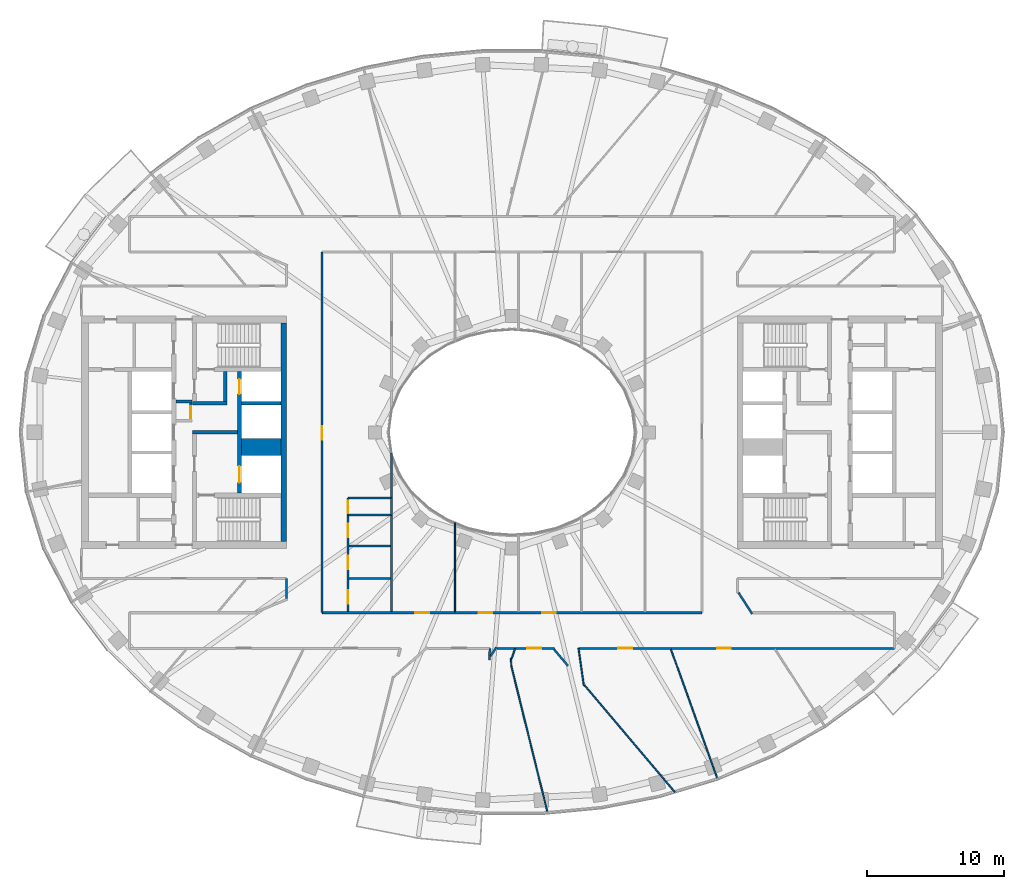
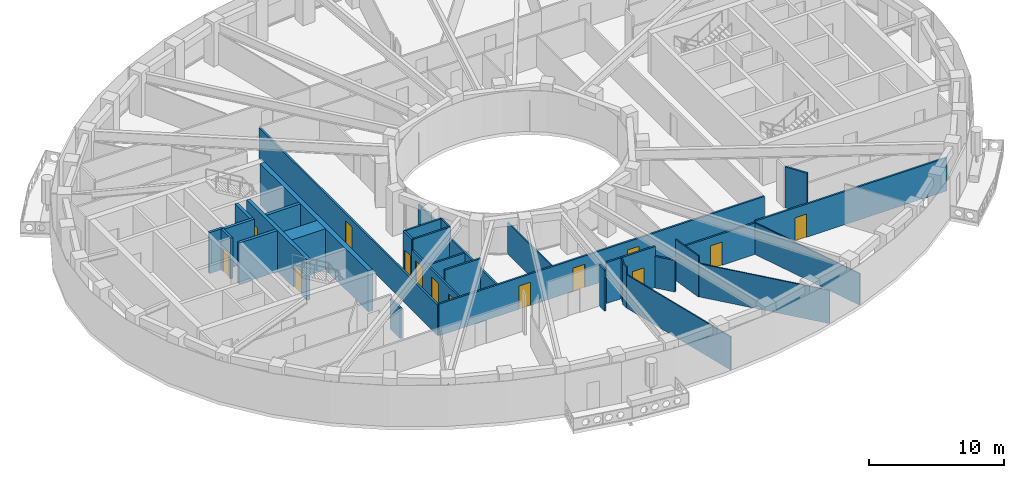
# One storey, part 4 of 16: 35 walls, 14 doors, 14 openings.
"""IFC4 building model written with IfcOpenShell, lengths in metres."""

from ifc_helpers import new_model, si_unit, direction, frame, frame_2d, origin, place, context, subcontext, project, spatial, rectangle, extrude, material, layer, layer_set, type_object, element, fill, save


model = new_model("IFC4")

# Units and contexts
model_context = context("Model", 3, precision=1e-05, world=origin(), true_north=direction((0.0, 1.0)))
body_context = subcontext(model_context, "Body", "Model", "MODEL_VIEW")
ifc_project = project(units=[si_unit("LENGTHUNIT", "METRE"), si_unit("AREAUNIT", "SQUARE_METRE"), si_unit("VOLUMEUNIT", "CUBIC_METRE"), si_unit("PLANEANGLEUNIT", "RADIAN"), si_unit("MASSUNIT", "GRAM", prefix="KILO")], contexts=[model_context])

# Site, building, storey
site_placement = place(None, origin())
site = spatial("IfcSite", under=ifc_project, at=site_placement, CompositionType="ELEMENT")
building_placement = place(site_placement, origin())
building = spatial("IfcBuilding", under=site, at=building_placement, Name="Noorbagh Ring Tower", CompositionType="ELEMENT")
storey_placement = place(building_placement, frame((0.0, 0.0, 273.5)))
storey = spatial("IfcBuildingStorey", under=building, at=storey_placement, Name="L58", CompositionType="ELEMENT", Elevation=273.5)

# Wall, opening, door
ifc_material_1 = material(Name="Gypsum board on steel studs", Category="steel")
ifc_layer_1 = layer(ifc_material_1, 0.14990234375)
ifc_layer_set_1 = layer_set([ifc_layer_1], Name="Gypsum board on steel studs")
wall_type_1 = type_object("IfcWallType", Name="COMPARTMENT PARTITION 150 EI 60", PredefinedType="PARTITIONING", material=ifc_layer_set_1)
wall_1_placement = place(storey_placement, frame((-12.0, -6.06005859375, 0.0), z_axis=(0.0, 0.0, 1.0), x_axis=(0.0, 1.0, 0.0)))
wall_1 = element("IfcWall", 1, at=wall_1_placement, inside=storey, type_object=wall_type_1, Name="L58/wall/P30", PredefinedType="PARTITIONING", context=body_context, shape_type="SweptSolid", body=[
    extrude(rectangle(XDim=1.260009765625, YDim=0.14990234375, at=frame_2d((0.6298828125, 0.0))), origin(), (0.0, 0.0, 1.0), 3.699951171875),
])
opening_1_placement = place(wall_1_placement, frame((0.14990234375, 0.0, 0.0)))
opening_1 = element("IfcOpeningElement", 2, at=opening_1_placement, cuts=wall_1, Name="Opening D4", PredefinedType="OPENING", context=body_context, shape_type="SweptSolid", body=[
    extrude(rectangle(XDim=0.89990234375, YDim=2.10009765625, at=frame_2d((0.449951171875, 1.050048828125))), frame((0.0, 0.0849609375, 0.0), z_axis=(0.0, -1.0, 0.0), x_axis=(1.0, 0.0, 0.0)), (0.0, 0.0, 1.0), 0.169921875),
])
ifc_material_2 = material(Name="Timber, painted", Category="wood")
door_type_1 = type_object("IfcDoorType", Name="DOOR 900 X 2100 FD60", OperationType="SINGLE_SWING_LEFT", PredefinedType="DOOR", material=ifc_material_2)
door_1_placement = place(opening_1_placement, origin())
door_1 = element("IfcDoor", 3, at=door_1_placement, inside=storey, type_object=door_type_1, Name="L58-D05", OperationType="SINGLE_SWING_LEFT", OverallHeight=2.10009765625, OverallWidth=0.89990234375, PredefinedType="DOOR", context=body_context, shape_type="SweptSolid", body=[
    extrude(rectangle(XDim=0.89990234375, YDim=2.10009765625, at=frame_2d((0.449951171875, 1.050048828125))), frame((0.0, 0.02490234375, 0.0), z_axis=(0.0, -1.0, 0.0), x_axis=(1.0, 0.0, 0.0)), (0.0, 0.0, 1.0), 0.050048828125),
])
fill(opening_1, door_1)

# Walls
for number, where, z_axis, x_axis, name in (
    (4, (-12.0, -6.06005859375, 0.0), (0.0, 0.0, 1.0), (1.0, 0.0, 0.0), "L58/wall/P31"),
    (5, (-12.0, -4.800048828125, 0.0), (0.0, 0.0, 1.0), (1.0, 0.0, 0.0), "L58/wall/P32"),
):
    element("IfcWall", number, at=place(storey_placement, frame(where, z_axis=z_axis, x_axis=x_axis)), inside=storey, type_object=wall_type_1, Name=name, PredefinedType="PARTITIONING", context=body_context, shape_type="SweptSolid", body=[
        extrude(rectangle(XDim=3.197021484375, YDim=0.14990234375, at=frame_2d((1.5986328125, 0.0))), origin(), (0.0, 0.0, 1.0), 3.699951171875),
    ])
wall_2_placement = place(storey_placement, frame((-8.802978515625, -6.06005859375, 0.0), z_axis=(0.0, 0.0, 1.0), x_axis=(0.0, 1.0, 0.0)))
element("IfcWall", 6, at=wall_2_placement, inside=storey, type_object=wall_type_1, Name="L58/wall/P36", PredefinedType="PARTITIONING", context=body_context, shape_type="SweptSolid", body=[
    extrude(rectangle(XDim=1.260009765625, YDim=0.14990234375, at=frame_2d((0.6298828125, 0.0))), origin(), (0.0, 0.0, 1.0), 3.699951171875),
])
ifc_material_3 = material(Name="Gypsum board on steel studs", Category="steel")
ifc_layer_2 = layer(ifc_material_3, 0.199951171875)
ifc_layer_set_2 = layer_set([ifc_layer_2], Name="Gypsum board on steel studs")
wall_type_2 = type_object("IfcWallType", Name="CORE-PARTITION-200", PredefinedType="PARTITIONING", material=ifc_layer_set_2)
wall_3_placement = place(storey_placement, frame((-23.39990234375, 2.25, 0.0), z_axis=(0.0, 0.0, 1.0), x_axis=(-1.0, 0.0, 0.0)))
element("IfcWall", 7, at=wall_3_placement, inside=storey, type_object=wall_type_2, Name="Core partition W", PredefinedType="PARTITIONING", context=body_context, shape_type="SweptSolid", body=[
    extrude(rectangle(XDim=1.2001953125, YDim=0.199951171875, at=frame_2d((0.60009765625, 0.0))), origin(), (0.0, 0.0, 1.0), 3.699951171875),
])

# Wall, opening, door
wall_4_placement = place(storey_placement, frame((-23.5, 0.75, 0.0), z_axis=(0.0, 0.0, 1.0), x_axis=(0.0, 1.0, 0.0)))
wall_4 = element("IfcWall", 8, at=wall_4_placement, inside=storey, type_object=wall_type_2, Name="Core partition W", PredefinedType="PARTITIONING", context=body_context, shape_type="SweptSolid", body=[
    extrude(rectangle(XDim=1.60009765625, YDim=0.199951171875, at=frame_2d((0.800048828125, 0.0))), origin(), (0.0, 0.0, 1.0), 3.699951171875),
])
opening_2_placement = place(wall_4_placement, frame((0.25, 0.0, 0.0)))
opening_2 = element("IfcOpeningElement", 9, at=opening_2_placement, cuts=wall_4, Name="Opening L58-CW17", PredefinedType="OPENING", context=body_context, shape_type="SweptSolid", body=[
    extrude(rectangle(XDim=0.89990234375, YDim=2.10009765625, at=frame_2d((0.449951171875, 1.050048828125))), frame((0.0, 0.10986328125, 0.0), z_axis=(0.0, -1.0, 0.0), x_axis=(1.0, 0.0, 0.0)), (0.0, 0.0, 1.0), 0.219970703125),
])
ifc_material_4 = material(Name="Steel door leaf", Category="steel")
door_type_2 = type_object("IfcDoorType", Name="CORE-DOOR-DROOM", OperationType="SINGLE_SWING_LEFT", PredefinedType="DOOR", material=ifc_material_4)
door_2_placement = place(opening_2_placement, origin())
door_2 = element("IfcDoor", 10, at=door_2_placement, inside=storey, type_object=door_type_2, Name="Core room door L58-CW17", OperationType="SINGLE_SWING_RIGHT", OverallHeight=2.10009765625, OverallWidth=0.89990234375, PredefinedType="DOOR", context=body_context, shape_type="SweptSolid", body=[
    extrude(rectangle(XDim=0.89990234375, YDim=2.10009765625, at=frame_2d((0.449951171875, 1.050048828125))), frame((0.0, 0.02490234375, 0.0), z_axis=(0.0, -1.0, 0.0), x_axis=(1.0, 0.0, 0.0)), (0.0, 0.0, 1.0), 0.050048828125),
])
fill(opening_2, door_2)

# Walls
ifc_material_5 = material(Name="Concrete C60/75", Category="concrete")
ifc_layer_3 = layer(ifc_material_5, 1.25)
ifc_layer_set_3 = layer_set([ifc_layer_3], Name="Concrete C60/75")
wall_type_3 = type_object("IfcWallType", Name="CORE-WALL-1250-C60-75-EI120", PredefinedType="SHEAR", material=ifc_layer_set_3)
wall_5_placement = place(storey_placement, frame((-16.89990234375, -1.074951171875, 0.0), z_axis=(0.0, 0.0, 1.0), x_axis=(-1.0, 0.0, 0.0)))
element("IfcWall", 11, at=wall_5_placement, inside=storey, type_object=wall_type_3, Name="Core wall W", PredefinedType="SHEAR", context=body_context, shape_type="SweptSolid", body=[
    extrude(rectangle(XDim=2.900146484375, YDim=1.25, at=frame_2d((1.4501953125, 0.0))), origin(), (0.0, 0.0, 1.0), 3.699951171875),
])
ifc_material_6 = material(Name="Concrete C60/75", Category="concrete")
ifc_layer_4 = layer(ifc_material_6, 0.25)
ifc_layer_set_4 = layer_set([ifc_layer_4], Name="Concrete C60/75")
wall_type_4 = type_object("IfcWallType", Name="CORE-WALL-250-C60-75-EI120", PredefinedType="SHEAR", material=ifc_layer_set_4)
wall_6_placement = place(storey_placement, frame((-16.89990234375, 2.125, 0.0), z_axis=(0.0, 0.0, 1.0), x_axis=(-1.0, 0.0, 0.0)))
element("IfcWall", 12, at=wall_6_placement, inside=storey, type_object=wall_type_4, Name="Core wall W", PredefinedType="SHEAR", context=body_context, shape_type="SweptSolid", body=[
    extrude(rectangle(XDim=2.900146484375, YDim=0.25, at=frame_2d((1.4501953125, 0.0))), origin(), (0.0, 0.0, 1.0), 3.699951171875),
])
ifc_material_7 = material(Name="Concrete C60/75", Category="concrete")
ifc_layer_5 = layer(ifc_material_7, 0.25)
ifc_layer_set_5 = layer_set([ifc_layer_5], Name="Concrete C60/75")
wall_type_5 = type_object("IfcWallType", Name="CORE-WALL-250-C60-75-EI240", PredefinedType="SHEAR", material=ifc_layer_set_5)
wall_7_placement = place(storey_placement, frame((-20.10009765625, 0.0, 0.0), z_axis=(0.0, 0.0, 1.0), x_axis=(-1.0, 0.0, 0.0)))
element("IfcWall", 13, at=wall_7_placement, inside=storey, type_object=wall_type_5, Name="Core wall W", PredefinedType="SHEAR", context=body_context, shape_type="SweptSolid", body=[
    extrude(rectangle(XDim=3.27978515625, YDim=0.25, at=frame_2d((1.639892578125, 0.0))), origin(), (0.0, 0.0, 1.0), 3.699951171875),
])
wall_8_placement = place(storey_placement, frame((-20.85009765625, 2.125, 0.0), z_axis=(0.0, 0.0, 1.0), x_axis=(-1.0, 0.0, 0.0)))
element("IfcWall", 14, at=wall_8_placement, inside=storey, type_object=wall_type_5, Name="Core wall W", PredefinedType="SHEAR", context=body_context, shape_type="SweptSolid", body=[
    extrude(rectangle(XDim=2.52978515625, YDim=0.25, at=frame_2d((1.264892578125, 0.0))), origin(), (0.0, 0.0, 1.0), 3.699951171875),
])
wall_9_placement = place(storey_placement, frame((-20.97509765625, 2.25, 0.0), z_axis=(0.0, 0.0, 1.0), x_axis=(0.0, 1.0, 0.0)))
element("IfcWall", 15, at=wall_9_placement, inside=storey, type_object=wall_type_5, Name="Core wall W", PredefinedType="SHEAR", context=body_context, shape_type="SweptSolid", body=[
    extrude(rectangle(XDim=2.199951171875, YDim=0.25, at=frame_2d((1.10009765625, 0.0))), origin(), (0.0, 0.0, 1.0), 3.699951171875),
])

# Wall, openings, doors
ifc_material_8 = material(Name="Concrete C60/75", Category="concrete")
ifc_layer_6 = layer(ifc_material_8, 0.300048828125)
ifc_layer_set_6 = layer_set([ifc_layer_6], Name="Concrete C60/75")
wall_type_6 = type_object("IfcWallType", Name="CORE-WALL-300-C60-75-EI120", PredefinedType="SHEAR", material=ifc_layer_set_6)
wall_10_placement = place(storey_placement, frame((-19.949951171875, -4.449951171875, 0.0), z_axis=(0.0, 0.0, 1.0), x_axis=(0.0, 1.0, 0.0)))
wall_10 = element("IfcWall", 16, at=wall_10_placement, inside=storey, type_object=wall_type_6, Name="Core wall W", PredefinedType="SHEAR", context=body_context, shape_type="SweptSolid", body=[
    extrude(rectangle(XDim=8.89990234375, YDim=0.300048828125, at=frame_2d((4.449951171875, 0.0))), origin(), (0.0, 0.0, 1.0), 3.699951171875),
])
opening_3_placement = place(wall_10_placement, frame((0.77490234375, 0.0, 0.0)))
opening_3 = element("IfcOpeningElement", 17, at=opening_3_placement, cuts=wall_10, Name="Opening L58-CW01", PredefinedType="OPENING", context=body_context, shape_type="SweptSolid", body=[
    extrude(rectangle(XDim=1.199951171875, YDim=2.10009765625, at=frame_2d((0.60009765625, 1.050048828125))), frame((0.0, 0.16015625, 0.0), z_axis=(0.0, -1.0, 0.0), x_axis=(1.0, 0.0, 0.0)), (0.0, 0.0, 1.0), 0.320068359375),
])
opening_4_placement = place(wall_10_placement, frame((7.25, 0.0, 0.0)))
opening_4 = element("IfcOpeningElement", 18, at=opening_4_placement, cuts=wall_10, Name="Opening L58-CW02", PredefinedType="OPENING", context=body_context, shape_type="SweptSolid", body=[
    extrude(rectangle(XDim=1.10009765625, YDim=2.10009765625, at=frame_2d((0.550048828125, 1.050048828125))), frame((0.0, 0.16015625, 0.0), z_axis=(0.0, -1.0, 0.0), x_axis=(1.0, 0.0, 0.0)), (0.0, 0.0, 1.0), 0.320068359375),
])
ifc_material_9 = material(Name="Steel door leaf", Category="steel")
door_type_3 = type_object("IfcDoorType", Name="CORE-DOOR-LD", OperationType="DOUBLE_DOOR_SLIDING", PredefinedType="DOOR", material=ifc_material_9)
door_3_placement = place(opening_4_placement, origin())
door_3 = element("IfcDoor", 19, at=door_3_placement, inside=storey, type_object=door_type_3, Name="Landing door HR1 L58-CW02", OperationType="DOUBLE_DOOR_SLIDING", OverallHeight=2.10009765625, OverallWidth=1.10009765625, PredefinedType="DOOR", context=body_context, shape_type="SweptSolid", body=[
    extrude(rectangle(XDim=1.10009765625, YDim=2.10009765625, at=frame_2d((0.550048828125, 1.050048828125))), frame((0.0, 0.02490234375, 0.0), z_axis=(0.0, -1.0, 0.0), x_axis=(1.0, 0.0, 0.0)), (0.0, 0.0, 1.0), 0.050048828125),
])
fill(opening_4, door_3)
ifc_material_10 = material(Name="Steel door leaf", Category="steel")
door_type_4 = type_object("IfcDoorType", Name="CORE-DOOR-LDW", OperationType="DOUBLE_DOOR_SLIDING", PredefinedType="DOOR", material=ifc_material_10)
door_4_placement = place(opening_3_placement, origin())
door_4 = element("IfcDoor", 20, at=door_4_placement, inside=storey, type_object=door_type_4, Name="Landing door FF1 L58-CW01", OperationType="DOUBLE_DOOR_SLIDING", OverallHeight=2.10009765625, OverallWidth=1.199951171875, PredefinedType="DOOR", context=body_context, shape_type="SweptSolid", body=[
    extrude(rectangle(XDim=1.199951171875, YDim=2.10009765625, at=frame_2d((0.60009765625, 1.050048828125))), frame((0.0, 0.02490234375, 0.0), z_axis=(0.0, -1.0, 0.0), x_axis=(1.0, 0.0, 0.0)), (0.0, 0.0, 1.0), 0.050048828125),
])
fill(opening_3, door_4)

# Walls
ifc_material_11 = material(Name="Concrete C60/75", Category="concrete")
ifc_layer_7 = layer(ifc_material_11, 0.39990234375)
ifc_layer_set_7 = layer_set([ifc_layer_7], Name="Concrete C60/75")
wall_type_7 = type_object("IfcWallType", Name="CORE-WALL-400-C60-75-EI240", PredefinedType="SHEAR", material=ifc_layer_set_7)
wall_11_placement = place(storey_placement, frame((-16.699951171875, -8.0, 0.0), z_axis=(0.0, 0.0, 1.0), x_axis=(0.0, 1.0, 0.0)))
element("IfcWall", 21, at=wall_11_placement, inside=storey, type_object=wall_type_7, Name="Core wall W", PredefinedType="SHEAR", context=body_context, shape_type="SweptSolid", body=[
    extrude(rectangle(XDim=16.0, YDim=0.39990234375, at=frame_2d((8.0, 0.0))), origin(), (0.0, 0.0, 1.0), 3.699951171875),
])
ifc_material_12 = material(Name="Gypsum board on steel studs", Category="steel")
ifc_layer_8 = layer(ifc_material_12, 0.14990234375)
ifc_layer_set_8 = layer_set([ifc_layer_8], Name="Gypsum board on steel studs")
wall_type_8 = type_object("IfcWallType", Name="CORRIDOR PARTITION 150 EI 30", PredefinedType="PARTITIONING", material=ifc_layer_set_8)
wall_12_placement = place(storey_placement, frame((-16.5, -12.156982421875, 0.0), z_axis=(0.0, 0.0, 1.0), x_axis=(0.0, 1.0, 0.0)))
element("IfcWall", 22, at=wall_12_placement, inside=storey, type_object=wall_type_8, Name="L58/wall/P22", PredefinedType="PARTITIONING", context=body_context, shape_type="SweptSolid", body=[
    extrude(rectangle(XDim=1.45703125, YDim=0.14990234375, at=frame_2d((0.728515625, 0.0))), origin(), (0.0, 0.0, 1.0), 2.75),
])

# Wall, opening, door
wall_13_placement = place(storey_placement, frame((-13.89990234375, -13.199951171875, 0.0), z_axis=(0.0, 0.0, 1.0), x_axis=(0.0, 1.0, 0.0)))
wall_13 = element("IfcWall", 23, at=wall_13_placement, inside=storey, type_object=wall_type_8, Name="L58/wall/P24", PredefinedType="PARTITIONING", context=body_context, shape_type="SweptSolid", body=[
    extrude(rectangle(XDim=26.39990234375, YDim=0.14990234375, at=frame_2d((13.199951171875, 0.0))), origin(), (0.0, 0.0, 1.0), 2.75),
])
opening_5_placement = place(wall_13_placement, frame((12.64990234375, 0.0, 0.0)))
opening_5 = element("IfcOpeningElement", 24, at=opening_5_placement, cuts=wall_13, Name="Opening D1", PredefinedType="OPENING", context=body_context, shape_type="SweptSolid", body=[
    extrude(rectangle(XDim=1.0, YDim=2.10009765625, at=frame_2d((0.5, 1.050048828125))), frame((0.0, 0.0849609375, 0.0), z_axis=(0.0, -1.0, 0.0), x_axis=(1.0, 0.0, 0.0)), (0.0, 0.0, 1.0), 0.169921875),
])
ifc_material_13 = material(Name="Timber, painted", Category="wood")
door_type_5 = type_object("IfcDoorType", Name="DOOR 1000 X 2100 FD30", OperationType="SINGLE_SWING_LEFT", PredefinedType="DOOR", material=ifc_material_13)
door_5_placement = place(opening_5_placement, origin())
door_5 = element("IfcDoor", 25, at=door_5_placement, inside=storey, type_object=door_type_5, Name="L58-D01", OperationType="SINGLE_SWING_LEFT", OverallHeight=2.10009765625, OverallWidth=1.0, PredefinedType="DOOR", context=body_context, shape_type="SweptSolid", body=[
    extrude(rectangle(XDim=1.0, YDim=2.10009765625, at=frame_2d((0.5, 1.050048828125))), frame((0.0, 0.02490234375, 0.0), z_axis=(0.0, -1.0, 0.0), x_axis=(1.0, 0.0, 0.0)), (0.0, 0.0, 1.0), 0.050048828125),
])
fill(opening_5, door_5)

# Wall, openings, doors
wall_14_placement = place(storey_placement, frame((-13.89990234375, -13.199951171875, 0.0), z_axis=(0.0, 0.0, 1.0), x_axis=(1.0, 0.0, 0.0)))
wall_14 = element("IfcWall", 26, at=wall_14_placement, inside=storey, type_object=wall_type_8, Name="L58/wall/P25", PredefinedType="PARTITIONING", context=body_context, shape_type="SweptSolid", body=[
    extrude(rectangle(XDim=27.7998046875, YDim=0.14990234375, at=frame_2d((13.89990234375, 0.0))), origin(), (0.0, 0.0, 1.0), 2.85009765625),
])
opening_6_placement = place(wall_14_placement, frame((6.830078125, 0.0, 0.0)))
opening_6 = element("IfcOpeningElement", 27, at=opening_6_placement, cuts=wall_14, Name="Opening D1", PredefinedType="OPENING", context=body_context, shape_type="SweptSolid", body=[
    extrude(rectangle(XDim=1.0, YDim=2.10009765625, at=frame_2d((0.5, 1.050048828125))), frame((0.0, 0.0849609375, 0.0), z_axis=(0.0, -1.0, 0.0), x_axis=(1.0, 0.0, 0.0)), (0.0, 0.0, 1.0), 0.169921875),
])
opening_7_placement = place(wall_14_placement, frame((11.462890625, 0.0, 0.0)))
opening_7 = element("IfcOpeningElement", 28, at=opening_7_placement, cuts=wall_14, Name="Opening D1", PredefinedType="OPENING", context=body_context, shape_type="SweptSolid", body=[
    extrude(rectangle(XDim=1.0, YDim=2.10009765625, at=frame_2d((0.5, 1.050048828125))), frame((0.0, 0.0849609375, 0.0), z_axis=(0.0, -1.0, 0.0), x_axis=(1.0, 0.0, 0.0)), (0.0, 0.0, 1.0), 0.169921875),
])
opening_8_placement = place(wall_14_placement, frame((16.096923828125, 0.0, 0.0)))
opening_8 = element("IfcOpeningElement", 29, at=opening_8_placement, cuts=wall_14, Name="Opening D1", PredefinedType="OPENING", context=body_context, shape_type="SweptSolid", body=[
    extrude(rectangle(XDim=1.0, YDim=2.10009765625, at=frame_2d((0.5, 1.050048828125))), frame((0.0, 0.0849609375, 0.0), z_axis=(0.0, -1.0, 0.0), x_axis=(1.0, 0.0, 0.0)), (0.0, 0.0, 1.0), 0.169921875),
])
door_6_placement = place(opening_6_placement, origin())
door_6 = element("IfcDoor", 30, at=door_6_placement, inside=storey, type_object=door_type_5, Name="L58-D28", OperationType="SINGLE_SWING_RIGHT", OverallHeight=2.10009765625, OverallWidth=1.0, PredefinedType="DOOR", context=body_context, shape_type="SweptSolid", body=[
    extrude(rectangle(XDim=1.0, YDim=2.10009765625, at=frame_2d((0.5, 1.050048828125))), frame((0.0, 0.02490234375, 0.0), z_axis=(0.0, -1.0, 0.0), x_axis=(1.0, 0.0, 0.0)), (0.0, 0.0, 1.0), 0.050048828125),
])
fill(opening_6, door_6)
door_7_placement = place(opening_7_placement, origin())
door_7 = element("IfcDoor", 31, at=door_7_placement, inside=storey, type_object=door_type_5, Name="L58-D30", OperationType="SINGLE_SWING_RIGHT", OverallHeight=2.10009765625, OverallWidth=1.0, PredefinedType="DOOR", context=body_context, shape_type="SweptSolid", body=[
    extrude(rectangle(XDim=1.0, YDim=2.10009765625, at=frame_2d((0.5, 1.050048828125))), frame((0.0, 0.02490234375, 0.0), z_axis=(0.0, -1.0, 0.0), x_axis=(1.0, 0.0, 0.0)), (0.0, 0.0, 1.0), 0.050048828125),
])
fill(opening_7, door_7)
door_8_placement = place(opening_8_placement, origin())
door_8 = element("IfcDoor", 32, at=door_8_placement, inside=storey, type_object=door_type_5, Name="L58-D32", OperationType="SINGLE_SWING_RIGHT", OverallHeight=2.10009765625, OverallWidth=1.0, PredefinedType="DOOR", context=body_context, shape_type="SweptSolid", body=[
    extrude(rectangle(XDim=1.0, YDim=2.10009765625, at=frame_2d((0.5, 1.050048828125))), frame((0.0, 0.02490234375, 0.0), z_axis=(0.0, -1.0, 0.0), x_axis=(1.0, 0.0, 0.0)), (0.0, 0.0, 1.0), 0.050048828125),
])
fill(opening_8, door_8)

wall_15_placement = place(storey_placement, frame((-12.0, -13.125, 0.0), z_axis=(0.0, 0.0, 1.0), x_axis=(0.0, 1.0, 0.0)))
wall_15 = element("IfcWall", 33, at=wall_15_placement, inside=storey, type_object=wall_type_8, Name="L58/wall/P27", PredefinedType="PARTITIONING", context=body_context, shape_type="SweptSolid", body=[
    extrude(rectangle(XDim=7.06494140625, YDim=0.14990234375, at=frame_2d((3.532470703125, 0.0))), origin(), (0.0, 0.0, 1.0), 2.75),
])
opening_9_placement = place(wall_15_placement, frame((0.574951171875, 0.0, 0.0)))
opening_9 = element("IfcOpeningElement", 34, at=opening_9_placement, cuts=wall_15, Name="Opening D3", PredefinedType="OPENING", context=body_context, shape_type="SweptSolid", body=[
    extrude(rectangle(XDim=1.0, YDim=2.10009765625, at=frame_2d((0.5, 1.050048828125))), frame((0.0, 0.0849609375, 0.0), z_axis=(0.0, -1.0, 0.0), x_axis=(1.0, 0.0, 0.0)), (0.0, 0.0, 1.0), 0.169921875),
])
opening_10_placement = place(wall_15_placement, frame((3.094970703125, 0.0, 0.0)))
opening_10 = element("IfcOpeningElement", 35, at=opening_10_placement, cuts=wall_15, Name="Opening D3", PredefinedType="OPENING", context=body_context, shape_type="SweptSolid", body=[
    extrude(rectangle(XDim=1.0, YDim=2.10009765625, at=frame_2d((0.5, 1.050048828125))), frame((0.0, 0.0849609375, 0.0), z_axis=(0.0, -1.0, 0.0), x_axis=(1.0, 0.0, 0.0)), (0.0, 0.0, 1.0), 0.169921875),
])
opening_11_placement = place(wall_15_placement, frame((5.447021484375, 0.0, 0.0)))
opening_11 = element("IfcOpeningElement", 36, at=opening_11_placement, cuts=wall_15, Name="Opening D3", PredefinedType="OPENING", context=body_context, shape_type="SweptSolid", body=[
    extrude(rectangle(XDim=1.0, YDim=2.10009765625, at=frame_2d((0.5, 1.050048828125))), frame((0.0, 0.0849609375, 0.0), z_axis=(0.0, -1.0, 0.0), x_axis=(1.0, 0.0, 0.0)), (0.0, 0.0, 1.0), 0.169921875),
])
ifc_material_14 = material(Name="Timber, painted", Category="wood")
door_type_6 = type_object("IfcDoorType", Name="DOOR 1000 X 2100 WC", OperationType="SINGLE_SWING_LEFT", PredefinedType="DOOR", material=ifc_material_14)
door_9_placement = place(opening_9_placement, origin())
door_9 = element("IfcDoor", 37, at=door_9_placement, inside=storey, type_object=door_type_6, Name="L58-D02", OperationType="SINGLE_SWING_RIGHT", OverallHeight=2.10009765625, OverallWidth=1.0, PredefinedType="DOOR", context=body_context, shape_type="SweptSolid", body=[
    extrude(rectangle(XDim=1.0, YDim=2.10009765625, at=frame_2d((0.5, 1.050048828125))), frame((0.0, 0.02490234375, 0.0), z_axis=(0.0, -1.0, 0.0), x_axis=(1.0, 0.0, 0.0)), (0.0, 0.0, 1.0), 0.050048828125),
])
fill(opening_9, door_9)
door_10_placement = place(opening_10_placement, origin())
door_10 = element("IfcDoor", 38, at=door_10_placement, inside=storey, type_object=door_type_6, Name="L58-D03", OperationType="SINGLE_SWING_LEFT", OverallHeight=2.10009765625, OverallWidth=1.0, PredefinedType="DOOR", context=body_context, shape_type="SweptSolid", body=[
    extrude(rectangle(XDim=1.0, YDim=2.10009765625, at=frame_2d((0.5, 1.050048828125))), frame((0.0, 0.02490234375, 0.0), z_axis=(0.0, -1.0, 0.0), x_axis=(1.0, 0.0, 0.0)), (0.0, 0.0, 1.0), 0.050048828125),
])
fill(opening_10, door_10)
door_11_placement = place(opening_11_placement, origin())
door_11 = element("IfcDoor", 39, at=door_11_placement, inside=storey, type_object=door_type_6, Name="L58-D04", OperationType="SINGLE_SWING_RIGHT", OverallHeight=2.10009765625, OverallWidth=1.0, PredefinedType="DOOR", context=body_context, shape_type="SweptSolid", body=[
    extrude(rectangle(XDim=1.0, YDim=2.10009765625, at=frame_2d((0.5, 1.050048828125))), frame((0.0, 0.02490234375, 0.0), z_axis=(0.0, -1.0, 0.0), x_axis=(1.0, 0.0, 0.0)), (0.0, 0.0, 1.0), 0.050048828125),
])
fill(opening_11, door_11)

# Walls
wall_16_placement = place(storey_placement, frame((-11.925048828125, -10.679931640625, 0.0), z_axis=(0.0, 0.0, 1.0), x_axis=(1.0, 0.0, 0.0)))
element("IfcWall", 40, at=wall_16_placement, inside=storey, type_object=wall_type_8, Name="L58/wall/P28", PredefinedType="PARTITIONING", context=body_context, shape_type="SweptSolid", body=[
    extrude(rectangle(XDim=3.047119140625, YDim=0.14990234375, at=frame_2d((1.5234375, 0.0))), origin(), (0.0, 0.0, 1.0), 3.699951171875),
])
wall_17_placement = place(storey_placement, frame((-11.925048828125, -8.327880859375, 0.0), z_axis=(0.0, 0.0, 1.0), x_axis=(1.0, 0.0, 0.0)))
element("IfcWall", 41, at=wall_17_placement, inside=storey, type_object=wall_type_8, Name="L58/wall/P29", PredefinedType="PARTITIONING", context=body_context, shape_type="SweptSolid", body=[
    extrude(rectangle(XDim=3.047119140625, YDim=0.14990234375, at=frame_2d((1.5234375, 0.0))), origin(), (0.0, 0.0, 1.0), 2.75),
])
wall_18_placement = place(storey_placement, frame((-8.802978515625, -13.125, 0.0), z_axis=(0.0, 0.0, 1.0), x_axis=(0.0, 1.0, 0.0)))
element("IfcWall", 42, at=wall_18_placement, inside=storey, type_object=wall_type_8, Name="L58/wall/P35", PredefinedType="PARTITIONING", context=body_context, shape_type="SweptSolid", body=[
    extrude(rectangle(XDim=7.06494140625, YDim=0.14990234375, at=frame_2d((3.532470703125, 0.0))), origin(), (0.0, 0.0, 1.0), 2.75),
])
wall_19_placement = place(storey_placement, frame((-8.802978515625, -4.800048828125, 0.0), z_axis=(0.0, 0.0, 1.0), x_axis=(0.0, 1.0, 0.0)))
element("IfcWall", 43, at=wall_19_placement, inside=storey, type_object=wall_type_8, Name="L58/wall/P37", PredefinedType="PARTITIONING", context=body_context, shape_type="SweptSolid", body=[
    extrude(rectangle(XDim=3.30712890625, YDim=0.14990234375, at=frame_2d((1.653564453125, 0.0))), origin(), (0.0, 0.0, 1.0), 3.0),
])
wall_20_placement = place(storey_placement, frame((-1.655029296875, -16.65087890625, 0.0), z_axis=(0.0, 0.0, 1.0), x_axis=(0.047006803258, 0.998894569235, 0.0)))
element("IfcWall", 44, at=wall_20_placement, inside=storey, type_object=wall_type_8, Name="L58/wall/P46", PredefinedType="PARTITIONING", context=body_context, shape_type="SweptSolid", body=[
    extrude(rectangle(XDim=0.851806640625, YDim=0.14990234375, at=frame_2d((0.42578125, 0.0))), origin(), (0.0, 0.0, 1.0), 3.699951171875),
])
wall_21_placement = place(storey_placement, frame((-1.56689453125, -16.3759765625, 0.0), z_axis=(0.0, 0.0, 1.0), x_axis=(0.541235735997, 0.840870904527, 0.0)))
element("IfcWall", 45, at=wall_21_placement, inside=storey, type_object=wall_type_8, Name="L58/wall/P47", PredefinedType="PARTITIONING", context=body_context, shape_type="SweptSolid", body=[
    extrude(rectangle(XDim=0.774169921875, YDim=0.14990234375, at=frame_2d((0.38720703125, 0.0))), origin(), (0.0, 0.0, 1.0), 2.85009765625),
])

# Wall, opening, door
wall_22_placement = place(storey_placement, frame((-1.10693359375, -15.800048828125, 0.0), z_axis=(0.0, 0.0, 1.0), x_axis=(1.0, 0.0, 0.0)))
wall_22 = element("IfcWall", 46, at=wall_22_placement, inside=storey, type_object=wall_type_8, Name="L58/wall/P48", PredefinedType="PARTITIONING", context=body_context, shape_type="SweptSolid", body=[
    extrude(rectangle(XDim=4.2138671875, YDim=0.14990234375, at=frame_2d((2.10693359375, 0.0))), origin(), (0.0, 0.0, 1.0), 3.699951171875),
])
opening_12_placement = place(wall_22_placement, frame((2.23388671875, 0.0, 0.0)))
opening_12 = element("IfcOpeningElement", 47, at=opening_12_placement, cuts=wall_22, Name="Opening D1", PredefinedType="OPENING", context=body_context, shape_type="SweptSolid", body=[
    extrude(rectangle(XDim=1.0, YDim=2.10009765625, at=frame_2d((0.5, 1.050048828125))), frame((0.0, 0.0849609375, 0.0), z_axis=(0.0, -1.0, 0.0), x_axis=(1.0, 0.0, 0.0)), (0.0, 0.0, 1.0), 0.169921875),
])
door_12_placement = place(opening_12_placement, origin())
door_12 = element("IfcDoor", 48, at=door_12_placement, inside=storey, type_object=door_type_5, Name="L58-D18", OperationType="SINGLE_SWING_RIGHT", OverallHeight=2.10009765625, OverallWidth=1.0, PredefinedType="DOOR", context=body_context, shape_type="SweptSolid", body=[
    extrude(rectangle(XDim=1.0, YDim=2.10009765625, at=frame_2d((0.5, 1.050048828125))), frame((0.0, 0.02490234375, 0.0), z_axis=(0.0, -1.0, 0.0), x_axis=(1.0, 0.0, 0.0)), (0.0, 0.0, 1.0), 0.050048828125),
])
fill(opening_12, door_12)

# Wall
wall_23_placement = place(storey_placement, frame((3.074951171875, -15.8779296875, 0.0), z_axis=(0.0, 0.0, 1.0), x_axis=(0.646427152644, -0.76297571149, 0.0)))
element("IfcWall", 49, at=wall_23_placement, inside=storey, type_object=wall_type_8, Name="L58/wall/P57", PredefinedType="PARTITIONING", context=body_context, shape_type="SweptSolid", body=[
    extrude(rectangle(XDim=1.579345703125, YDim=0.14990234375, at=frame_2d((0.78955078125, 0.0))), origin(), (0.0, 0.0, 1.0), 2.85009765625),
])

# Wall, opening, door
wall_24_placement = place(storey_placement, frame((4.884033203125, -15.800048828125, 0.0), z_axis=(0.0, 0.0, 1.0), x_axis=(1.0, 0.0, 0.0)))
wall_24 = element("IfcWall", 50, at=wall_24_placement, inside=storey, type_object=wall_type_8, Name="L58/wall/P60", PredefinedType="PARTITIONING", context=body_context, shape_type="SweptSolid", body=[
    extrude(rectangle(XDim=6.77099609375, YDim=0.14990234375, at=frame_2d((3.385498046875, 0.0))), origin(), (0.0, 0.0, 1.0), 2.85009765625),
])
opening_13_placement = place(wall_24_placement, frame((2.89990234375, 0.0, 0.0)))
opening_13 = element("IfcOpeningElement", 51, at=opening_13_placement, cuts=wall_24, Name="Opening D1", PredefinedType="OPENING", context=body_context, shape_type="SweptSolid", body=[
    extrude(rectangle(XDim=1.0, YDim=2.10009765625, at=frame_2d((0.5, 1.050048828125))), frame((0.0, 0.0849609375, 0.0), z_axis=(0.0, -1.0, 0.0), x_axis=(1.0, 0.0, 0.0)), (0.0, 0.0, 1.0), 0.169921875),
])
door_13_placement = place(opening_13_placement, origin())
door_13 = element("IfcDoor", 52, at=door_13_placement, inside=storey, type_object=door_type_5, Name="L58-D21", OperationType="SINGLE_SWING_LEFT", OverallHeight=2.10009765625, OverallWidth=1.0, PredefinedType="DOOR", context=body_context, shape_type="SweptSolid", body=[
    extrude(rectangle(XDim=1.0, YDim=2.10009765625, at=frame_2d((0.5, 1.050048828125))), frame((0.0, 0.02490234375, 0.0), z_axis=(0.0, -1.0, 0.0), x_axis=(1.0, 0.0, 0.0)), (0.0, 0.0, 1.0), 0.050048828125),
])
fill(opening_13, door_13)

wall_25_placement = place(storey_placement, frame((11.614013671875, -15.800048828125, 0.0), z_axis=(0.0, 0.0, 1.0), x_axis=(1.0, 0.0, 0.0)))
wall_25 = element("IfcWall", 53, at=wall_25_placement, inside=storey, type_object=wall_type_8, Name="L58/wall/P67", PredefinedType="PARTITIONING", context=body_context, shape_type="SweptSolid", body=[
    extrude(rectangle(XDim=16.385986328125, YDim=0.14990234375, at=frame_2d((8.19287109375, 0.0))), origin(), (0.0, 0.0, 1.0), 3.0),
])
opening_14_placement = place(wall_25_placement, frame((3.387939453125, 0.0, 0.0)))
opening_14 = element("IfcOpeningElement", 54, at=opening_14_placement, cuts=wall_25, Name="Opening D1", PredefinedType="OPENING", context=body_context, shape_type="SweptSolid", body=[
    extrude(rectangle(XDim=1.0, YDim=2.10009765625, at=frame_2d((0.5, 1.050048828125))), frame((0.0, 0.0849609375, 0.0), z_axis=(0.0, -1.0, 0.0), x_axis=(1.0, 0.0, 0.0)), (0.0, 0.0, 1.0), 0.169921875),
])
door_14_placement = place(opening_14_placement, origin())
door_14 = element("IfcDoor", 55, at=door_14_placement, inside=storey, type_object=door_type_5, Name="L58-D22", OperationType="SINGLE_SWING_RIGHT", OverallHeight=2.10009765625, OverallWidth=1.0, PredefinedType="DOOR", context=body_context, shape_type="SweptSolid", body=[
    extrude(rectangle(XDim=1.0, YDim=2.10009765625, at=frame_2d((0.5, 1.050048828125))), frame((0.0, 0.02490234375, 0.0), z_axis=(0.0, -1.0, 0.0), x_axis=(1.0, 0.0, 0.0)), (0.0, 0.0, 1.0), 0.050048828125),
])
fill(opening_14, door_14)

# Walls
wall_26_placement = place(storey_placement, frame((16.574951171875, -11.73291015625, 0.0), z_axis=(0.0, 0.0, 1.0), x_axis=(0.541860116324, -0.840468687304, 0.0)))
element("IfcWall", 56, at=wall_26_placement, inside=storey, type_object=wall_type_8, Name="L58/wall/P71", PredefinedType="PARTITIONING", context=body_context, shape_type="SweptSolid", body=[
    extrude(rectangle(XDim=1.834716796875, YDim=0.14990234375, at=frame_2d((0.91748046875, 0.0))), origin(), (0.0, 0.0, 1.0), 3.699951171875),
])
ifc_material_15 = material(Name="Gypsum board on steel studs", Category="steel")
ifc_layer_9 = layer(ifc_material_15, 0.10009765625)
ifc_layer_set_9 = layer_set([ifc_layer_9], Name="Gypsum board on steel studs")
wall_type_9 = type_object("IfcWallType", Name="PARTITION 100 GYPSUM", PredefinedType="PARTITIONING", material=ifc_layer_set_9)
wall_27_placement = place(storey_placement, frame((-4.169921875, -13.125, 0.0), z_axis=(0.0, 0.0, 1.0), x_axis=(0.0, 1.0, 0.0)))
element("IfcWall", 57, at=wall_27_placement, inside=storey, type_object=wall_type_9, Name="L58/wall/P44", PredefinedType="PARTITIONING", context=body_context, shape_type="SweptSolid", body=[
    extrude(rectangle(XDim=6.508056640625, YDim=0.10009765625, at=frame_2d((3.25390625, 0.0))), origin(), (0.0, 0.0, 1.0), 2.85009765625),
])
wall_28_placement = place(storey_placement, frame((-0.074951171875, -16.528076171875, 0.0), z_axis=(0.0, 0.0, 1.0), x_axis=(0.047184463658, -0.998886192912, 0.0)))
element("IfcWall", 58, at=wall_28_placement, inside=storey, type_object=wall_type_9, Name="L58/wall/P50", PredefinedType="PARTITIONING", context=body_context, shape_type="SweptSolid", body=[
    extrude(rectangle(XDim=0.548583984375, YDim=0.10009765625, at=frame_2d((0.2744140625, 0.0))), origin(), (0.0, 0.0, 1.0), 3.699951171875),
])
wall_29_placement = place(storey_placement, frame((-0.02490234375, -16.534912109375, 0.0), z_axis=(0.0, 0.0, 1.0), x_axis=(0.338627931753, 0.940920359986, 0.0)))
element("IfcWall", 59, at=wall_29_placement, inside=storey, type_object=wall_type_9, Name="L58/wall/P51", PredefinedType="PARTITIONING", context=body_context, shape_type="SweptSolid", body=[
    extrude(rectangle(XDim=0.755615234375, YDim=0.10009765625, at=frame_2d((0.3779296875, 0.0))), origin(), (0.0, 0.0, 1.0), 3.699951171875),
])
wall_30_placement = place(storey_placement, frame((-0.048095703125, -17.096923828125, 0.0), z_axis=(0.0, 0.0, 1.0), x_axis=(0.23971007337, -0.970844519336, 0.0)))
element("IfcWall", 60, at=wall_30_placement, inside=storey, type_object=wall_type_9, Name="L58/wall/P53", PredefinedType="PARTITIONING", context=body_context, shape_type="SweptSolid", body=[
    extrude(rectangle(XDim=11.084228515625, YDim=0.10009765625, at=frame_2d((5.5419921875, 0.0))), origin(), (0.0, 0.0, 1.0), 3.0),
])
wall_31_placement = place(storey_placement, frame((4.864013671875, -15.803955078125, 0.0), z_axis=(0.0, 0.0, 1.0), x_axis=(0.142908722314, -0.989735872385, 0.0)))
element("IfcWall", 61, at=wall_31_placement, inside=storey, type_object=wall_type_9, Name="L58/wall/P59", PredefinedType="PARTITIONING", context=body_context, shape_type="SweptSolid", body=[
    extrude(rectangle(XDim=2.75732421875, YDim=0.10009765625, at=frame_2d((1.378662109375, 0.0))), origin(), (0.0, 0.0, 1.0), 3.699951171875),
])
wall_32_placement = place(storey_placement, frame((5.305908203125, -18.511962890625, 0.0), z_axis=(0.0, 0.0, 1.0), x_axis=(0.646500054355, -0.762913939917, 0.0)))
element("IfcWall", 62, at=wall_32_placement, inside=storey, type_object=wall_type_9, Name="L58/wall/P63", PredefinedType="PARTITIONING", context=body_context, shape_type="SweptSolid", body=[
    extrude(rectangle(XDim=10.238525390625, YDim=0.10009765625, at=frame_2d((5.119140625, 0.0))), origin(), (0.0, 0.0, 1.0), 3.0),
])
wall_33_placement = place(storey_placement, frame((11.62890625, -15.875, 0.0), z_axis=(0.0, 0.0, 1.0), x_axis=(0.338394316696, -0.94100440298, 0.0)))
element("IfcWall", 63, at=wall_33_placement, inside=storey, type_object=wall_type_9, Name="L58/wall/P65", PredefinedType="PARTITIONING", context=body_context, shape_type="SweptSolid", body=[
    extrude(rectangle(XDim=10.104248046875, YDim=0.10009765625, at=frame_2d((5.05224609375, 0.0))), origin(), (0.0, 0.0, 1.0), 2.85009765625),
])

save(model, "model.ifc")
